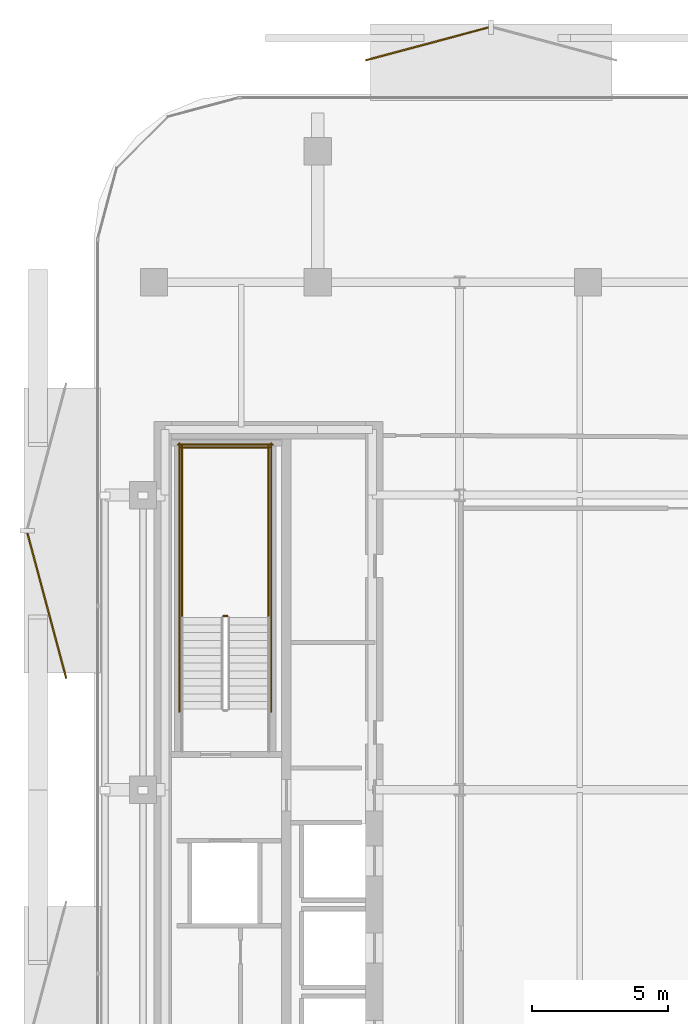
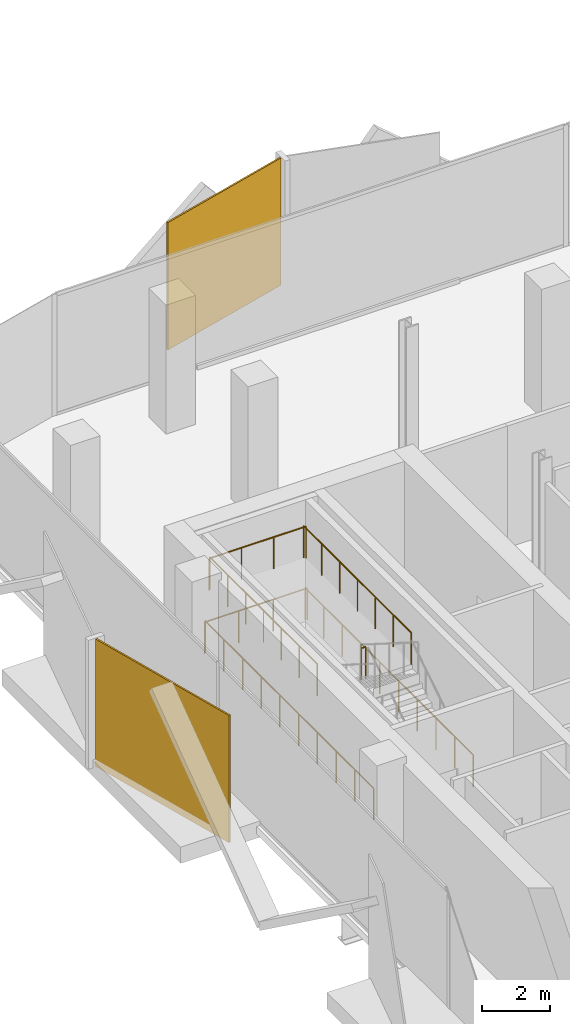
# One storey, part 13 of 14: 7 railings, 2 coverings.
"""IFC4 building model written with IfcOpenShell, lengths in metres."""

from ifc_helpers import new_model, si_unit, direction, frame, origin, origin_2d, place, context, subcontext, project, spatial, rectangle, circle, extrude, material, layer, layer_set, type_object, element, save


model = new_model("IFC4")

# Units and contexts
model_context = context("Model", 3, precision=1e-05, world=origin(), true_north=direction((0.0, 1.0)))
body_context = subcontext(model_context, "Body", "Model", "MODEL_VIEW")
ifc_project = project(units=[si_unit("LENGTHUNIT", "METRE"), si_unit("AREAUNIT", "SQUARE_METRE"), si_unit("VOLUMEUNIT", "CUBIC_METRE"), si_unit("PLANEANGLEUNIT", "RADIAN"), si_unit("MASSUNIT", "GRAM", prefix="KILO")], contexts=[model_context])

# Site, building, storey
site_placement = place(None, origin())
site = spatial("IfcSite", under=ifc_project, at=site_placement, CompositionType="ELEMENT")
building_placement = place(site_placement, origin())
building = spatial("IfcBuilding", under=site, at=building_placement, Name="Khairoan Windgate Tower", CompositionType="ELEMENT")
storey_placement = place(building_placement, frame((0.0, 0.0, 160.39990234375)))
storey = spatial("IfcBuildingStorey", under=building, at=storey_placement, Name="L36", CompositionType="ELEMENT", Elevation=160.39990234375)

# Coverings
ifc_material_1 = material(Name="Anodised Bronze Aluminium 6063-T6", Category="aluminium")
ifc_layer = layer(ifc_material_1, 0.054931640625, Name="Anodised Bronze Aluminium 6063-T6")
ifc_layer_set = layer_set([ifc_layer], Name="Anodised Bronze Aluminium 6063-T6")
covering_type = type_object("IfcCoveringType", Name="Perforated Bronze-Ceramic Folded Solar Screen Cladding BSC-1", PredefinedType="CLADDING", material=ifc_layer_set)
covering_1_placement = place(storey_placement, frame((-24.327392578125, 6.74560546875, -0.099853515625), z_axis=(0.0, 0.0, 1.0), x_axis=(-0.258819045103, 0.965925826289, 0.0)))
element("IfcCovering", 1, at=covering_1_placement, inside=storey, type_object=covering_type, Name="L36 Folded Bronze Solar Screen Facet 228L", PredefinedType="CLADDING", context=body_context, shape_type="SweptSolid", body=[
    extrude(rectangle(XDim=5.507080078125, YDim=0.054931640625, at=origin_2d()), origin(), (0.0, 0.0, 1.0), 4.5400390625),
])
covering_2_placement = place(storey_placement, frame((-10.388916015625, 27.336181640625, -0.099853515625), z_axis=(0.0, 0.0, 1.0), x_axis=(0.965925826289, 0.258819045103, 0.0)))
element("IfcCovering", 2, at=covering_2_placement, inside=storey, type_object=covering_type, Name="L36 Folded Bronze Solar Screen Facet 229L", PredefinedType="CLADDING", context=body_context, shape_type="SweptSolid", body=[
    extrude(rectangle(XDim=4.666015625, YDim=0.054931640625, at=origin_2d()), origin(), (0.0, 0.0, 1.0), 4.5400390625),
])

# Railings
ifc_material_2 = material(Name="Steel S355", Category="steel")
railing_type = type_object("IfcRailingType", Name="Stairwell Safety Guardrail SGR-1150", PredefinedType="GUARDRAIL", material=ifc_material_2)
railing_1_placement = place(storey_placement, frame((-17.7099609375, 6.3701171875, 2.300048828125)))
element("IfcRailing", 3, at=railing_1_placement, inside=storey, type_object=railing_type, Name="L36 ST2 stair guard 2", PredefinedType="GUARDRAIL", context=body_context, shape_type="SweptSolid", body=[
    extrude(circle(Radius=0.02392578125, at=origin_2d()), frame((0.0, 0.0, 1.1259765625), z_axis=(-1.0, 0.0, 0.0), x_axis=(0.0, -1.0, 0.0)), (0.0, 0.0, 1.0), 0.150146484375),
    extrude(circle(Radius=0.02099609375, at=origin_2d()), origin(), (0.0, 0.0, 1.0), 1.101806640625),
    extrude(circle(Radius=0.02099609375, at=origin_2d()), frame((-0.150146484375, 0.0, 0.0)), (0.0, 0.0, 1.0), 1.101806640625),
])
for number, where, name in (
    (4, (-16.199951171875, 6.320068359375, 2.300048828125), "L36 ST2 stair guard 3"),
    (5, (-19.3701171875, 6.320068359375, 2.300048828125), "L36 ST2 stair guard 4"),
):
    element("IfcRailing", number, at=place(storey_placement, frame(where)), inside=storey, type_object=railing_type, Name=name, PredefinedType="GUARDRAIL", context=body_context, shape_type="SweptSolid", body=[
        extrude(circle(Radius=0.02392578125, at=origin_2d()), frame((0.0, 0.0, 1.1259765625), z_axis=(0.0, 1.0, 0.0), x_axis=(-1.0, 0.0, 0.0)), (0.0, 0.0, 1.0), 6.280029296875),
        extrude(circle(Radius=0.02099609375, at=origin_2d()), origin(), (0.0, 0.0, 1.0), 1.101806640625),
        extrude(circle(Radius=0.02099609375, at=origin_2d()), frame((0.0, 1.046630859375, 0.0)), (0.0, 0.0, 1.0), 1.101806640625),
        extrude(circle(Radius=0.02099609375, at=origin_2d()), frame((0.0, 2.09326171875, 0.0)), (0.0, 0.0, 1.0), 1.101806640625),
        extrude(circle(Radius=0.02099609375, at=origin_2d()), frame((0.0, 3.14013671875, 0.0)), (0.0, 0.0, 1.0), 1.101806640625),
        extrude(circle(Radius=0.02099609375, at=origin_2d()), frame((0.0, 4.186767578125, 0.0)), (0.0, 0.0, 1.0), 1.101806640625),
        extrude(circle(Radius=0.02099609375, at=origin_2d()), frame((0.0, 5.2333984375, 0.0)), (0.0, 0.0, 1.0), 1.101806640625),
        extrude(circle(Radius=0.02099609375, at=origin_2d()), frame((0.0, 6.280029296875, 0.0)), (0.0, 0.0, 1.0), 1.101806640625),
    ])
railing_2_placement = place(storey_placement, frame((-16.14990234375, 12.550048828125, 2.300048828125)))
element("IfcRailing", 6, at=railing_2_placement, inside=storey, type_object=railing_type, Name="L36 ST2 stair guard 5", PredefinedType="GUARDRAIL", context=body_context, shape_type="SweptSolid", body=[
    extrude(circle(Radius=0.02392578125, at=origin_2d()), frame((0.0, 0.0, 1.1259765625), z_axis=(-1.0, 0.0, 0.0), x_axis=(0.0, -1.0, 0.0)), (0.0, 0.0, 1.0), 3.27001953125),
    extrude(circle(Radius=0.02099609375, at=origin_2d()), origin(), (0.0, 0.0, 1.0), 1.101806640625),
    extrude(circle(Radius=0.02099609375, at=origin_2d()), frame((-1.090087890625, 0.0, 0.0)), (0.0, 0.0, 1.0), 1.101806640625),
    extrude(circle(Radius=0.02099609375, at=origin_2d()), frame((-2.179931640625, 0.0, 0.0)), (0.0, 0.0, 1.0), 1.101806640625),
    extrude(circle(Radius=0.02099609375, at=origin_2d()), frame((-3.27001953125, 0.0, 0.0)), (0.0, 0.0, 1.0), 1.101806640625),
])
for number, where, name in (
    (7, (-16.10009765625, 2.860107421875, 0.0), "L36 ST2 stair guard 10"),
    (8, (-19.469970703125, 2.860107421875, 0.0), "L36 ST2 stair guard 11"),
):
    element("IfcRailing", number, at=place(storey_placement, frame(where)), inside=storey, type_object=railing_type, Name=name, PredefinedType="GUARDRAIL", context=body_context, shape_type="SweptSolid", body=[
        extrude(circle(Radius=0.02392578125, at=origin_2d()), frame((0.0, 0.0, 1.1259765625), z_axis=(0.0, 1.0, 0.0), x_axis=(-1.0, 0.0, 0.0)), (0.0, 0.0, 1.0), 9.83984375),
        extrude(circle(Radius=0.02099609375, at=origin_2d()), origin(), (0.0, 0.0, 1.0), 1.101806640625),
        extrude(circle(Radius=0.02099609375, at=origin_2d()), frame((0.0, 1.09326171875, 0.0)), (0.0, 0.0, 1.0), 1.101806640625),
        extrude(circle(Radius=0.02099609375, at=origin_2d()), frame((0.0, 2.1865234375, 0.0)), (0.0, 0.0, 1.0), 1.101806640625),
        extrude(circle(Radius=0.02099609375, at=origin_2d()), frame((0.0, 3.280029296875, 0.0)), (0.0, 0.0, 1.0), 1.101806640625),
        extrude(circle(Radius=0.02099609375, at=origin_2d()), frame((0.0, 4.373291015625, 0.0)), (0.0, 0.0, 1.0), 1.101806640625),
        extrude(circle(Radius=0.02099609375, at=origin_2d()), frame((0.0, 5.466552734375, 0.0)), (0.0, 0.0, 1.0), 1.101806640625),
        extrude(circle(Radius=0.02099609375, at=origin_2d()), frame((0.0, 6.559814453125, 0.0)), (0.0, 0.0, 1.0), 1.101806640625),
        extrude(circle(Radius=0.02099609375, at=origin_2d()), frame((0.0, 7.6533203125, 0.0)), (0.0, 0.0, 1.0), 1.101806640625),
        extrude(circle(Radius=0.02099609375, at=origin_2d()), frame((0.0, 8.74658203125, 0.0)), (0.0, 0.0, 1.0), 1.101806640625),
        extrude(circle(Radius=0.02099609375, at=origin_2d()), frame((0.0, 9.83984375, 0.0)), (0.0, 0.0, 1.0), 1.101806640625),
    ])
railing_3_placement = place(storey_placement, frame((-16.050048828125, 12.64990234375, 0.0)))
element("IfcRailing", 9, at=railing_3_placement, inside=storey, type_object=railing_type, Name="L36 ST2 stair guard 12", PredefinedType="GUARDRAIL", context=body_context, shape_type="SweptSolid", body=[
    extrude(circle(Radius=0.02392578125, at=origin_2d()), frame((0.0, 0.0, 1.1259765625), z_axis=(-1.0, 0.0, 0.0), x_axis=(0.0, -1.0, 0.0)), (0.0, 0.0, 1.0), 3.469970703125),
    extrude(circle(Radius=0.02099609375, at=origin_2d()), origin(), (0.0, 0.0, 1.0), 1.101806640625),
    extrude(circle(Radius=0.02099609375, at=origin_2d()), frame((-1.15673828125, 0.0, 0.0)), (0.0, 0.0, 1.0), 1.101806640625),
    extrude(circle(Radius=0.02099609375, at=origin_2d()), frame((-2.313232421875, 0.0, 0.0)), (0.0, 0.0, 1.0), 1.101806640625),
    extrude(circle(Radius=0.02099609375, at=origin_2d()), frame((-3.469970703125, 0.0, 0.0)), (0.0, 0.0, 1.0), 1.101806640625),
])

save(model, "model.ifc")
